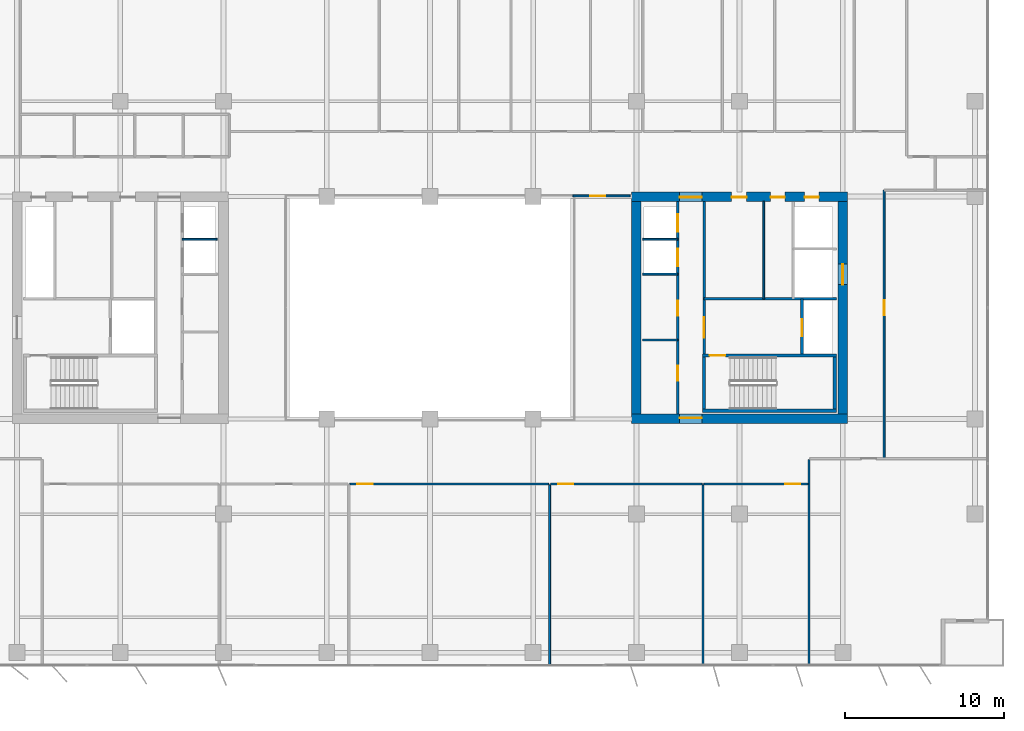
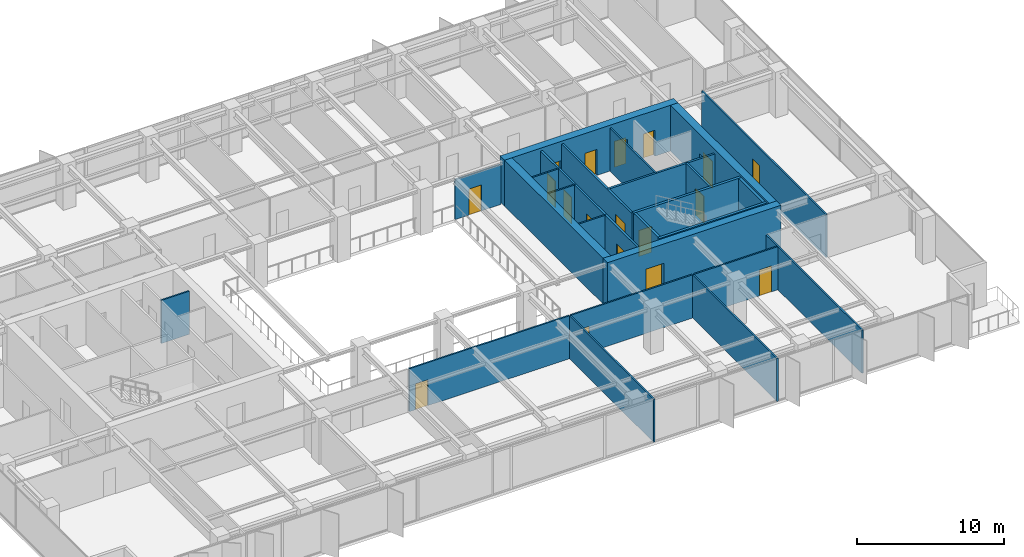
# One storey, part 16 of 22: 25 walls, 18 doors, 18 openings.
"""IFC4 building model written with IfcOpenShell, lengths in metres."""

from ifc_helpers import new_model, si_unit, direction, frame, frame_2d, origin, place, context, subcontext, project, spatial, rectangle, extrude, material, layer, layer_set, type_object, element, fill, save


model = new_model("IFC4")

# Units and contexts
model_context = context("Model", 3, precision=1e-05, world=origin(), true_north=direction((0.0, 1.0)))
body_context = subcontext(model_context, "Body", "Model", "MODEL_VIEW")
ifc_project = project(units=[si_unit("LENGTHUNIT", "METRE"), si_unit("AREAUNIT", "SQUARE_METRE"), si_unit("VOLUMEUNIT", "CUBIC_METRE"), si_unit("PLANEANGLEUNIT", "RADIAN"), si_unit("MASSUNIT", "GRAM", prefix="KILO")], contexts=[model_context])

# Site, building, storey
site_placement = place(None, origin())
site = spatial("IfcSite", under=ifc_project, at=site_placement, CompositionType="ELEMENT")
building_placement = place(site_placement, origin())
building = spatial("IfcBuilding", under=site, at=building_placement, Name="Putna Gate Headquarters", CompositionType="ELEMENT")
storey_placement = place(building_placement, frame((0.0, 0.0, 186.0)))
storey = spatial("IfcBuildingStorey", under=building, at=storey_placement, Name="L46", CompositionType="ELEMENT", Elevation=186.0)

# Wall, opening, door
ifc_material_1 = material(Name="Concrete C50/60", Category="concrete")
ifc_layer_1 = layer(ifc_material_1, 0.60009765625)
ifc_layer_set_1 = layer_set([ifc_layer_1], Name="Concrete C50/60")
wall_type_1 = type_object("IfcWallType", Name="WALL-CORE-600", PredefinedType="SHEAR", material=ifc_layer_set_1)
wall_1_placement = place(storey_placement, frame((51.699951171875, 19.0, 0.0), z_axis=(0.0, 0.0, 1.0), x_axis=(1.0, 0.0, 0.0)))
wall_1 = element("IfcWall", 1, at=wall_1_placement, inside=storey, type_object=wall_type_1, Name="L46 EC Split Core Shear Wall S", PredefinedType="SHEAR", context=body_context, shape_type="SweptSolid", body=[
    extrude(rectangle(XDim=13.60009765625, YDim=0.60009765625, at=frame_2d((6.800048828125, 0.0))), origin(), (0.0, 0.0, 1.0), 3.800048828125),
])
opening_1_placement = place(wall_1_placement, frame((3.02001953125, 0.0, 0.0)))
opening_1 = element("IfcOpeningElement", 2, at=opening_1_placement, cuts=wall_1, Name="Opening FDD-140", PredefinedType="OPENING", context=body_context, shape_type="SweptSolid", body=[
    extrude(rectangle(XDim=1.39990234375, YDim=2.199951171875, at=frame_2d((0.699951171875, 1.10009765625))), frame((0.0, 0.31005859375, 0.0), z_axis=(0.0, -1.0, 0.0), x_axis=(1.0, 0.0, 0.0)), (0.0, 0.0, 1.0), 0.6201171875),
])
ifc_material_2 = material(Name="Double steel fire door", Category="steel")
door_type_1 = type_object("IfcDoorType", Name="DOOR-FIRE-DBL-1400", OperationType="DOUBLE_DOOR_SINGLE_SWING", PredefinedType="DOOR", material=ifc_material_2)
door_1_placement = place(opening_1_placement, origin())
door_1 = element("IfcDoor", 3, at=door_1_placement, inside=storey, type_object=door_type_1, Name="L46 East Lift Lobby South Door", OperationType="DOUBLE_DOOR_SINGLE_SWING", OverallHeight=2.199951171875, OverallWidth=1.39990234375, PredefinedType="DOOR", context=body_context, shape_type="SweptSolid", body=[
    extrude(rectangle(XDim=1.39990234375, YDim=2.199951171875, at=frame_2d((0.699951171875, 1.10009765625))), frame((0.0, 0.0751953125, 0.0), z_axis=(0.0, -1.0, 0.0), x_axis=(1.0, 0.0, 0.0)), (0.0, 0.0, 1.0), 0.050048828125),
])
fill(opening_1, door_1)

# Wall, openings, doors
wall_2_placement = place(storey_placement, frame((51.699951171875, 33.0, 0.0), z_axis=(0.0, 0.0, 1.0), x_axis=(1.0, 0.0, 0.0)))
wall_2 = element("IfcWall", 4, at=wall_2_placement, inside=storey, type_object=wall_type_1, Name="L46 EC Split Core Shear Wall N", PredefinedType="SHEAR", context=body_context, shape_type="SweptSolid", body=[
    extrude(rectangle(XDim=13.60009765625, YDim=0.60009765625, at=frame_2d((6.800048828125, 0.0))), origin(), (0.0, 0.0, 1.0), 3.800048828125),
])
opening_2_placement = place(wall_2_placement, frame((3.02001953125, 0.0, 0.0)))
opening_2 = element("IfcOpeningElement", 5, at=opening_2_placement, cuts=wall_2, Name="Opening FDD-140", PredefinedType="OPENING", context=body_context, shape_type="SweptSolid", body=[
    extrude(rectangle(XDim=1.39990234375, YDim=2.199951171875, at=frame_2d((0.699951171875, 1.10009765625))), frame((0.0, 0.31005859375, 0.0), z_axis=(0.0, -1.0, 0.0), x_axis=(1.0, 0.0, 0.0)), (0.0, 0.0, 1.0), 0.6201171875),
])
opening_3_placement = place(wall_2_placement, frame((10.89990234375, 0.0, 0.0)))
opening_3 = element("IfcOpeningElement", 6, at=opening_3_placement, cuts=wall_2, Name="Opening RD-90", PredefinedType="OPENING", context=body_context, shape_type="SweptSolid", body=[
    extrude(rectangle(XDim=0.89990234375, YDim=2.14990234375, at=frame_2d((0.449951171875, 1.074951171875))), frame((0.0, 0.31005859375, 0.0), z_axis=(0.0, -1.0, 0.0), x_axis=(1.0, 0.0, 0.0)), (0.0, 0.0, 1.0), 0.6201171875),
])
opening_4_placement = place(wall_2_placement, frame((6.300048828125, 0.0, 0.0)))
opening_4 = element("IfcOpeningElement", 7, at=opening_4_placement, cuts=wall_2, Name="Opening IDS-95", PredefinedType="OPENING", context=body_context, shape_type="SweptSolid", body=[
    extrude(rectangle(XDim=0.949951171875, YDim=2.14990234375, at=frame_2d((0.47509765625, 1.074951171875))), frame((0.0, 0.31005859375, 0.0), z_axis=(0.0, -1.0, 0.0), x_axis=(1.0, 0.0, 0.0)), (0.0, 0.0, 1.0), 0.6201171875),
])
opening_5_placement = place(wall_2_placement, frame((8.75, 0.0, 0.0)))
opening_5 = element("IfcOpeningElement", 8, at=opening_5_placement, cuts=wall_2, Name="Opening IDS-90", PredefinedType="OPENING", context=body_context, shape_type="SweptSolid", body=[
    extrude(rectangle(XDim=0.89990234375, YDim=2.14990234375, at=frame_2d((0.449951171875, 1.074951171875))), frame((0.0, 0.31005859375, 0.0), z_axis=(0.0, -1.0, 0.0), x_axis=(1.0, 0.0, 0.0)), (0.0, 0.0, 1.0), 0.6201171875),
])
door_2_placement = place(opening_2_placement, origin())
door_2 = element("IfcDoor", 9, at=door_2_placement, inside=storey, type_object=door_type_1, Name="L46 East Lift Lobby North Door", OperationType="DOUBLE_DOOR_SINGLE_SWING", OverallHeight=2.199951171875, OverallWidth=1.39990234375, PredefinedType="DOOR", context=body_context, shape_type="SweptSolid", body=[
    extrude(rectangle(XDim=1.39990234375, YDim=2.199951171875, at=frame_2d((0.699951171875, 1.10009765625))), frame((0.0, -0.02490234375, 0.0), z_axis=(0.0, -1.0, 0.0), x_axis=(1.0, 0.0, 0.0)), (0.0, 0.0, 1.0), 0.050048828125),
])
fill(opening_2, door_2)
ifc_material_3 = material(Name="Fire-rated utility door")
door_type_2 = type_object("IfcDoorType", Name="DOOR-INT-900", OperationType="NOTDEFINED", PredefinedType="DOOR", material=ifc_material_3)
door_3_placement = place(opening_5_placement, origin())
door_3 = element("IfcDoor", 10, at=door_3_placement, inside=storey, type_object=door_type_2, Name="L46 Electrical Plant Door", OperationType="SINGLE_SWING_LEFT", OverallHeight=2.14990234375, OverallWidth=0.89990234375, PredefinedType="DOOR", context=body_context, shape_type="SweptSolid", body=[
    extrude(rectangle(XDim=0.89990234375, YDim=2.14990234375, at=frame_2d((0.449951171875, 1.074951171875))), frame((0.0, -0.02490234375, 0.0), z_axis=(0.0, -1.0, 0.0), x_axis=(1.0, 0.0, 0.0)), (0.0, 0.0, 1.0), 0.050048828125),
])
fill(opening_5, door_3)
ifc_material_4 = material(Name="Fire-rated service timber door", Category="wood")
door_type_3 = type_object("IfcDoorType", Name="DOOR-INT-950", OperationType="NOTDEFINED", PredefinedType="DOOR", material=ifc_material_4)
door_4_placement = place(opening_4_placement, origin())
door_4 = element("IfcDoor", 11, at=door_4_placement, inside=storey, type_object=door_type_3, Name="L46 East Store Door", OperationType="SINGLE_SWING_RIGHT", OverallHeight=2.14990234375, OverallWidth=0.949951171875, PredefinedType="DOOR", context=body_context, shape_type="SweptSolid", body=[
    extrude(rectangle(XDim=0.949951171875, YDim=2.14990234375, at=frame_2d((0.47509765625, 1.074951171875))), frame((0.0, -0.02490234375, 0.0), z_axis=(0.0, -1.0, 0.0), x_axis=(1.0, 0.0, 0.0)), (0.0, 0.0, 1.0), 0.050048828125),
])
fill(opening_4, door_4)
ifc_material_5 = material(Name="Steel riser access fire door", Category="steel")
door_type_4 = type_object("IfcDoorType", Name="DOOR-RISER-900", OperationType="NOTDEFINED", PredefinedType="DOOR", material=ifc_material_5)
door_5_placement = place(opening_3_placement, origin())
door_5 = element("IfcDoor", 12, at=door_5_placement, inside=storey, type_object=door_type_4, Name="L46 East Riser Access Door", OperationType="SINGLE_SWING_LEFT", OverallHeight=2.14990234375, OverallWidth=0.89990234375, PredefinedType="DOOR", context=body_context, shape_type="SweptSolid", body=[
    extrude(rectangle(XDim=0.89990234375, YDim=2.14990234375, at=frame_2d((0.449951171875, 1.074951171875))), frame((0.0, -0.02490234375, 0.0), z_axis=(0.0, -1.0, 0.0), x_axis=(1.0, 0.0, 0.0)), (0.0, 0.0, 1.0), 0.050048828125),
])
fill(opening_3, door_5)

# Wall
wall_3_placement = place(storey_placement, frame((52.0, 19.300048828125, 0.0), z_axis=(0.0, 0.0, 1.0), x_axis=(0.0, 1.0, 0.0)))
element("IfcWall", 13, at=wall_3_placement, inside=storey, type_object=wall_type_1, Name="L46 EC Split Core Shear Wall W", PredefinedType="SHEAR", context=body_context, shape_type="SweptSolid", body=[
    extrude(rectangle(XDim=13.39990234375, YDim=0.60009765625, at=frame_2d((6.699951171875, 0.0))), origin(), (0.0, 0.0, 1.0), 3.800048828125),
])

# Wall, opening, door
wall_4_placement = place(storey_placement, frame((65.0, 19.300048828125, 0.0), z_axis=(0.0, 0.0, 1.0), x_axis=(0.0, 1.0, 0.0)))
wall_4 = element("IfcWall", 14, at=wall_4_placement, inside=storey, type_object=wall_type_1, Name="L46 EC Split Core Shear Wall E", PredefinedType="SHEAR", context=body_context, shape_type="SweptSolid", body=[
    extrude(rectangle(XDim=13.39990234375, YDim=0.60009765625, at=frame_2d((6.699951171875, 0.0))), origin(), (0.0, 0.0, 1.0), 3.800048828125),
])
opening_6_placement = place(wall_4_placement, frame((8.14990234375, 0.0, 0.0)))
opening_6 = element("IfcOpeningElement", 15, at=opening_6_placement, cuts=wall_4, Name="Opening LD-2", PredefinedType="OPENING", context=body_context, shape_type="SweptSolid", body=[
    extrude(rectangle(XDim=1.300048828125, YDim=2.199951171875, at=frame_2d((0.64990234375, 1.10009765625))), frame((0.0, 0.31005859375, 0.0), z_axis=(0.0, -1.0, 0.0), x_axis=(1.0, 0.0, 0.0)), (0.0, 0.0, 1.0), 0.6201171875),
])
ifc_material_6 = material(Name="Heavy-duty goods lift sliding landing door")
door_type_5 = type_object("IfcDoorType", Name="DOOR-LIFT-1300", OperationType="DOUBLE_DOOR_SLIDING", PredefinedType="DOOR", material=ifc_material_6)
door_6_placement = place(opening_6_placement, origin())
door_6 = element("IfcDoor", 16, at=door_6_placement, inside=storey, type_object=door_type_5, Name="L46 Goods Lift Landing Door LD-15", OperationType="DOUBLE_DOOR_SLIDING", OverallHeight=2.199951171875, OverallWidth=1.300048828125, PredefinedType="DOOR", context=body_context, shape_type="SweptSolid", body=[
    extrude(rectangle(XDim=1.300048828125, YDim=2.199951171875, at=frame_2d((0.64990234375, 1.10009765625))), frame((0.0, 0.02490234375, 0.0), z_axis=(0.0, -1.0, 0.0), x_axis=(1.0, 0.0, 0.0)), (0.0, 0.0, 1.0), 0.050048828125),
])
fill(opening_6, door_6)

ifc_material_7 = material(Name="Acoustic gypsum board on metal stud")
ifc_layer_2 = layer(ifc_material_7, 0.1201171875)
ifc_layer_set_2 = layer_set([ifc_layer_2], Name="Acoustic gypsum board on metal stud")
wall_type_2 = type_object("IfcWallType", Name="WALL-PART-120", PredefinedType="PARTITIONING", material=ifc_layer_set_2)
wall_5_placement = place(storey_placement, frame((48.0, 33.0400390625, 0.0), z_axis=(0.0, 0.0, 1.0), x_axis=(1.0, 0.0, 0.0)))
wall_5 = element("IfcWall", 17, at=wall_5_placement, inside=storey, type_object=wall_type_2, Name="L46 Interior Wall PART-L46-ATR-E-N", PredefinedType="PARTITIONING", context=body_context, shape_type="SweptSolid", body=[
    extrude(rectangle(XDim=3.60009765625, YDim=0.1201171875, at=frame_2d((1.800048828125, 0.0))), origin(), (0.0, 0.0, 1.0), 3.31201171875),
])
opening_7_placement = place(wall_5_placement, frame((1.10009765625, 0.0, 0.0)))
opening_7 = element("IfcOpeningElement", 18, at=opening_7_placement, cuts=wall_5, Name="Opening ID-95", PredefinedType="OPENING", context=body_context, shape_type="SweptSolid", body=[
    extrude(rectangle(XDim=0.949951171875, YDim=2.14990234375, at=frame_2d((0.47509765625, 1.074951171875))), frame((0.0, 0.070068359375, 0.0), z_axis=(0.0, -1.0, 0.0), x_axis=(1.0, 0.0, 0.0)), (0.0, 0.0, 1.0), 0.14013671875),
])
ifc_material_8 = material(Name="Veneered acoustic timber door", Category="wood")
door_type_6 = type_object("IfcDoorType", Name="DOOR-OFF-950", OperationType="NOTDEFINED", PredefinedType="DOOR", material=ifc_material_8)
door_7_placement = place(opening_7_placement, origin())
door_7 = element("IfcDoor", 19, at=door_7_placement, inside=storey, type_object=door_type_6, Name="L46 East Sky Atrium Lounge Door", OperationType="SINGLE_SWING_LEFT", OverallHeight=2.14990234375, OverallWidth=0.949951171875, PredefinedType="DOOR", context=body_context, shape_type="SweptSolid", body=[
    extrude(rectangle(XDim=0.949951171875, YDim=2.14990234375, at=frame_2d((0.47509765625, 1.074951171875))), frame((0.0, 0.02490234375, 0.0), z_axis=(0.0, -1.0, 0.0), x_axis=(1.0, 0.0, 0.0)), (0.0, 0.0, 1.0), 0.050048828125),
])
fill(opening_7, door_7)

# Walls
for number, where, z_axis, x_axis, name in (
    (20, (46.536376953125, 3.419921875, 0.0), (0.0, 0.0, 1.0), (0.0, 1.0, 0.0), "L46 Interior Wall PART-L46-SB-DIV-04"),
    (21, (56.19482421875, 3.419921875, 0.0), (0.0, 0.0, 1.0), (0.0, 1.0, 0.0), "L46 Interior Wall PART-L46-SB-DIV-05"),
):
    element("IfcWall", number, at=place(storey_placement, frame(where, z_axis=z_axis, x_axis=x_axis)), inside=storey, type_object=wall_type_2, Name=name, PredefinedType="PARTITIONING", context=body_context, shape_type="SweptSolid", body=[
        extrude(rectangle(XDim=11.420166015625, YDim=0.1201171875, at=frame_2d((5.7099609375, 0.0))), origin(), (0.0, 0.0, 1.0), 3.572021484375),
    ])
wall_6_placement = place(storey_placement, frame((62.86962890625, 3.419921875, 0.0), z_axis=(0.0, 0.0, 1.0), x_axis=(0.0, 1.0, 0.0)))
element("IfcWall", 22, at=wall_6_placement, inside=storey, type_object=wall_type_2, Name="L46 Interior Wall PART-L46-SB-DIV-06", PredefinedType="PARTITIONING", context=body_context, shape_type="SweptSolid", body=[
    extrude(rectangle(XDim=13.02001953125, YDim=0.1201171875, at=frame_2d((6.510009765625, 0.0))), origin(), (0.0, 0.0, 1.0), 3.572021484375),
])
ifc_material_9 = material(Name="Fire-rated shaftwall gypsum board on metal stud")
ifc_layer_3 = layer(ifc_material_9, 0.1201171875)
ifc_layer_set_3 = layer_set([ifc_layer_3], Name="Fire-rated shaftwall gypsum board on metal stud")
wall_type_3 = type_object("IfcWallType", Name="WALL-PART-120-EI120", PredefinedType="PARTITIONING", material=ifc_layer_set_3)
for number, where, z_axis, x_axis, name in (
    (23, (23.39990234375, 30.31005859375, 0.0), (0.0, 0.0, 1.0), (1.0, 0.0, 0.0), "L46 Interior Wall CWINT-L46-WC-LF09-DIV"),
    (24, (52.39990234375, 30.31005859375, 0.0), (0.0, 0.0, 1.0), (1.0, 0.0, 0.0), "L46 Interior Wall CWINT-L46-EC-LF11-DIV"),
):
    element("IfcWall", number, at=place(storey_placement, frame(where, z_axis=z_axis, x_axis=x_axis)), inside=storey, type_object=wall_type_3, Name=name, PredefinedType="PARTITIONING", context=body_context, shape_type="SweptSolid", body=[
        extrude(rectangle(XDim=2.2001953125, YDim=0.1201171875, at=frame_2d((1.10009765625, 0.0))), origin(), (0.0, 0.0, 1.0), 3.572021484375),
    ])
ifc_material_10 = material(Name="Fire-rated gypsum board on metal stud")
ifc_layer_4 = layer(ifc_material_10, 0.1201171875)
ifc_layer_set_4 = layer_set([ifc_layer_4], Name="Fire-rated gypsum board on metal stud")
wall_type_4 = type_object("IfcWallType", Name="WALL-PART-120-RATED", PredefinedType="PARTITIONING", material=ifc_layer_set_4)
for number, where, z_axis, x_axis, name in (
    (25, (52.39990234375, 23.969970703125, 0.0), (0.0, 0.0, 1.0), (1.0, 0.0, 0.0), "L46 Interior Wall CWINT-L46-EC-REUSE-DIV"),
    (26, (52.39990234375, 28.1201171875, 0.0), (0.0, 0.0, 1.0), (1.0, 0.0, 0.0), "L46 Interior Wall CWINT-L46-EC-LF08-DIV"),
):
    element("IfcWall", number, at=place(storey_placement, frame(where, z_axis=z_axis, x_axis=x_axis)), inside=storey, type_object=wall_type_4, Name=name, PredefinedType="PARTITIONING", context=body_context, shape_type="SweptSolid", body=[
        extrude(rectangle(XDim=2.2001953125, YDim=0.1201171875, at=frame_2d((1.10009765625, 0.0))), origin(), (0.0, 0.0, 1.0), 3.572021484375),
    ])
wall_7_placement = place(storey_placement, frame((60.02001953125, 26.56005859375, 0.0), z_axis=(0.0, 0.0, 1.0), x_axis=(0.0, 1.0, 0.0)))
element("IfcWall", 27, at=wall_7_placement, inside=storey, type_object=wall_type_4, Name="L46 Interior Wall CWINT-L46-EC-K0-DIV", PredefinedType="PARTITIONING", context=body_context, shape_type="SweptSolid", body=[
    extrude(rectangle(XDim=6.139892578125, YDim=0.1201171875, at=frame_2d((3.06982421875, 0.0))), origin(), (0.0, 0.0, 1.0), 3.572021484375),
])

# Wall, opening, door
wall_8_placement = place(storey_placement, frame((33.9541015625, 14.89990234375, 0.0), z_axis=(0.0, 0.0, 1.0), x_axis=(1.0, 0.0, 0.0)))
wall_8 = element("IfcWall", 28, at=wall_8_placement, inside=storey, type_object=wall_type_4, Name="L46 Interior Wall PART-L46-SB-CW-04", PredefinedType="PARTITIONING", context=body_context, shape_type="SweptSolid", body=[
    extrude(rectangle(XDim=12.522216796875, YDim=0.1201171875, at=frame_2d((6.26123046875, 0.0))), origin(), (0.0, 0.0, 1.0), 3.572021484375),
])
opening_8_placement = place(wall_8_placement, frame((0.47998046875, 0.0, 0.0)))
opening_8 = element("IfcOpeningElement", 29, at=opening_8_placement, cuts=wall_8, Name="Opening FD-95", PredefinedType="OPENING", context=body_context, shape_type="SweptSolid", body=[
    extrude(rectangle(XDim=0.949951171875, YDim=2.14990234375, at=frame_2d((0.47509765625, 1.074951171875))), frame((0.0, 0.070068359375, 0.0), z_axis=(0.0, -1.0, 0.0), x_axis=(1.0, 0.0, 0.0)), (0.0, 0.0, 1.0), 0.14013671875),
])
ifc_material_11 = material(Name="Acoustic timber fire door", Category="wood")
door_type_7 = type_object("IfcDoorType", Name="DOOR-FIRE-950", OperationType="NOTDEFINED", PredefinedType="DOOR", material=ifc_material_11)
door_8_placement = place(opening_8_placement, origin())
door_8 = element("IfcDoor", 30, at=door_8_placement, inside=storey, type_object=door_type_7, Name="L46 Cellular Office 6 Door", OperationType="SINGLE_SWING_RIGHT", OverallHeight=2.14990234375, OverallWidth=0.949951171875, PredefinedType="DOOR", context=body_context, shape_type="SweptSolid", body=[
    extrude(rectangle(XDim=0.949951171875, YDim=2.14990234375, at=frame_2d((0.47509765625, 1.074951171875))), frame((0.0, 0.02490234375, 0.0), z_axis=(0.0, -1.0, 0.0), x_axis=(1.0, 0.0, 0.0)), (0.0, 0.0, 1.0), 0.050048828125),
])
fill(opening_8, door_8)

wall_9_placement = place(storey_placement, frame((46.59619140625, 14.89990234375, 0.0), z_axis=(0.0, 0.0, 1.0), x_axis=(1.0, 0.0, 0.0)))
wall_9 = element("IfcWall", 31, at=wall_9_placement, inside=storey, type_object=wall_type_4, Name="L46 Interior Wall PART-L46-SB-CW-05", PredefinedType="PARTITIONING", context=body_context, shape_type="SweptSolid", body=[
    extrude(rectangle(XDim=9.53857421875, YDim=0.1201171875, at=frame_2d((4.769287109375, 0.0))), origin(), (0.0, 0.0, 1.0), 3.572021484375),
])
opening_9_placement = place(wall_9_placement, frame((0.47998046875, 0.0, 0.0)))
opening_9 = element("IfcOpeningElement", 32, at=opening_9_placement, cuts=wall_9, Name="Opening FD-95", PredefinedType="OPENING", context=body_context, shape_type="SweptSolid", body=[
    extrude(rectangle(XDim=0.949951171875, YDim=2.14990234375, at=frame_2d((0.47509765625, 1.074951171875))), frame((0.0, 0.070068359375, 0.0), z_axis=(0.0, -1.0, 0.0), x_axis=(1.0, 0.0, 0.0)), (0.0, 0.0, 1.0), 0.14013671875),
])
door_9_placement = place(opening_9_placement, origin())
door_9 = element("IfcDoor", 33, at=door_9_placement, inside=storey, type_object=door_type_7, Name="L46 Conference Meeting Room 1 Door", OperationType="SINGLE_SWING_LEFT", OverallHeight=2.14990234375, OverallWidth=0.949951171875, PredefinedType="DOOR", context=body_context, shape_type="SweptSolid", body=[
    extrude(rectangle(XDim=0.949951171875, YDim=2.14990234375, at=frame_2d((0.47509765625, 1.074951171875))), frame((0.0, 0.02490234375, 0.0), z_axis=(0.0, -1.0, 0.0), x_axis=(1.0, 0.0, 0.0)), (0.0, 0.0, 1.0), 0.050048828125),
])
fill(opening_9, door_9)

wall_10_placement = place(storey_placement, frame((56.2548828125, 14.89990234375, 0.0), z_axis=(0.0, 0.0, 1.0), x_axis=(1.0, 0.0, 0.0)))
wall_10 = element("IfcWall", 34, at=wall_10_placement, inside=storey, type_object=wall_type_4, Name="L46 Interior Wall PART-L46-SB-CW-06", PredefinedType="PARTITIONING", context=body_context, shape_type="SweptSolid", body=[
    extrude(rectangle(XDim=6.5546875, YDim=0.1201171875, at=frame_2d((3.27734375, 0.0))), origin(), (0.0, 0.0, 1.0), 3.572021484375),
])
opening_10_placement = place(wall_10_placement, frame((5.124755859375, 0.0, 0.0)))
opening_10 = element("IfcOpeningElement", 35, at=opening_10_placement, cuts=wall_10, Name="Opening FD-95", PredefinedType="OPENING", context=body_context, shape_type="SweptSolid", body=[
    extrude(rectangle(XDim=0.949951171875, YDim=2.14990234375, at=frame_2d((0.47509765625, 1.074951171875))), frame((0.0, 0.070068359375, 0.0), z_axis=(0.0, -1.0, 0.0), x_axis=(1.0, 0.0, 0.0)), (0.0, 0.0, 1.0), 0.14013671875),
])
door_10_placement = place(opening_10_placement, origin())
door_10 = element("IfcDoor", 36, at=door_10_placement, inside=storey, type_object=door_type_7, Name="L46 Conference Meeting Room 2 Door", OperationType="SINGLE_SWING_RIGHT", OverallHeight=2.14990234375, OverallWidth=0.949951171875, PredefinedType="DOOR", context=body_context, shape_type="SweptSolid", body=[
    extrude(rectangle(XDim=0.949951171875, YDim=2.14990234375, at=frame_2d((0.47509765625, 1.074951171875))), frame((0.0, 0.02490234375, 0.0), z_axis=(0.0, -1.0, 0.0), x_axis=(1.0, 0.0, 0.0)), (0.0, 0.0, 1.0), 0.050048828125),
])
fill(opening_10, door_10)

wall_11_placement = place(storey_placement, frame((67.60009765625, 16.5, 0.0), z_axis=(0.0, 0.0, 1.0), x_axis=(0.0, 1.0, 0.0)))
wall_11 = element("IfcWall", 37, at=wall_11_placement, inside=storey, type_object=wall_type_4, Name="L46 Interior Wall PART-L46-EW-CW-1", PredefinedType="PARTITIONING", context=body_context, shape_type="SweptSolid", body=[
    extrude(rectangle(XDim=16.89990234375, YDim=0.1201171875, at=frame_2d((8.449951171875, 0.0))), origin(), (0.0, 0.0, 1.0), 3.572021484375),
])
opening_11_placement = place(wall_11_placement, frame((9.02490234375, 0.0, 0.0)))
opening_11 = element("IfcOpeningElement", 38, at=opening_11_placement, cuts=wall_11, Name="Opening FD-95", PredefinedType="OPENING", context=body_context, shape_type="SweptSolid", body=[
    extrude(rectangle(XDim=0.949951171875, YDim=2.14990234375, at=frame_2d((0.47509765625, 1.074951171875))), frame((0.0, 0.070068359375, 0.0), z_axis=(0.0, -1.0, 0.0), x_axis=(1.0, 0.0, 0.0)), (0.0, 0.0, 1.0), 0.14013671875),
])
door_11_placement = place(opening_11_placement, origin())
door_11 = element("IfcDoor", 39, at=door_11_placement, inside=storey, type_object=door_type_7, Name="L46 East Horizon Conference Room 1 Door", OperationType="SINGLE_SWING_LEFT", OverallHeight=2.14990234375, OverallWidth=0.949951171875, PredefinedType="DOOR", context=body_context, shape_type="SweptSolid", body=[
    extrude(rectangle(XDim=0.949951171875, YDim=2.14990234375, at=frame_2d((0.47509765625, 1.074951171875))), frame((0.0, 0.02490234375, 0.0), z_axis=(0.0, -1.0, 0.0), x_axis=(1.0, 0.0, 0.0)), (0.0, 0.0, 1.0), 0.050048828125),
])
fill(opening_11, door_11)

# Wall, openings, doors
ifc_material_12 = material(Name="Concrete C40/50", Category="concrete")
ifc_layer_5 = layer(ifc_material_12, 0.159912109375)
ifc_layer_set_5 = layer_set([ifc_layer_5], Name="Concrete C40/50")
wall_type_5 = type_object("IfcWallType", Name="WALL-SHAFT-160", PredefinedType="STANDARD", material=ifc_layer_set_5)
wall_12_placement = place(storey_placement, frame((54.60009765625, 19.300048828125, 0.0), z_axis=(0.0, 0.0, 1.0), x_axis=(0.0, 1.0, 0.0)))
wall_12 = element("IfcWall", 40, at=wall_12_placement, inside=storey, type_object=wall_type_5, Name="L46 Interior Wall CWINT-L46-EC-PL-WALL", PredefinedType="STANDARD", context=body_context, shape_type="SweptSolid", body=[
    extrude(rectangle(XDim=13.39990234375, YDim=0.159912109375, at=frame_2d((6.699951171875, 0.0))), origin(), (0.0, 0.0, 1.0), 3.572021484375),
])
opening_12_placement = place(wall_12_placement, frame((2.10009765625, 0.0, 0.0)))
opening_12 = element("IfcOpeningElement", 41, at=opening_12_placement, cuts=wall_12, Name="Opening IDS-95", PredefinedType="OPENING", context=body_context, shape_type="SweptSolid", body=[
    extrude(rectangle(XDim=0.949951171875, YDim=2.14990234375, at=frame_2d((0.47509765625, 1.074951171875))), frame((0.0, 0.08984375, 0.0), z_axis=(0.0, -1.0, 0.0), x_axis=(1.0, 0.0, 0.0)), (0.0, 0.0, 1.0), 0.179931640625),
])
opening_13_placement = place(wall_12_placement, frame((6.199951171875, 0.0, 0.0)))
opening_13 = element("IfcOpeningElement", 42, at=opening_13_placement, cuts=wall_12, Name="Opening IDS-95", PredefinedType="OPENING", context=body_context, shape_type="SweptSolid", body=[
    extrude(rectangle(XDim=0.949951171875, YDim=2.14990234375, at=frame_2d((0.47509765625, 1.074951171875))), frame((0.0, 0.08984375, 0.0), z_axis=(0.0, -1.0, 0.0), x_axis=(1.0, 0.0, 0.0)), (0.0, 0.0, 1.0), 0.179931640625),
])
opening_14_placement = place(wall_12_placement, frame((9.300048828125, 0.0, 0.0)))
opening_14 = element("IfcOpeningElement", 43, at=opening_14_placement, cuts=wall_12, Name="Opening LD-1", PredefinedType="OPENING", context=body_context, shape_type="SweptSolid", body=[
    extrude(rectangle(XDim=1.10009765625, YDim=2.199951171875, at=frame_2d((0.550048828125, 1.10009765625))), frame((0.0, 0.08984375, 0.0), z_axis=(0.0, -1.0, 0.0), x_axis=(1.0, 0.0, 0.0)), (0.0, 0.0, 1.0), 0.179931640625),
])
opening_15_placement = place(wall_12_placement, frame((11.5, 0.0, 0.0)))
opening_15 = element("IfcOpeningElement", 44, at=opening_15_placement, cuts=wall_12, Name="Opening LD-1", PredefinedType="OPENING", context=body_context, shape_type="SweptSolid", body=[
    extrude(rectangle(XDim=1.10009765625, YDim=2.199951171875, at=frame_2d((0.550048828125, 1.10009765625))), frame((0.0, 0.08984375, 0.0), z_axis=(0.0, -1.0, 0.0), x_axis=(1.0, 0.0, 0.0)), (0.0, 0.0, 1.0), 0.179931640625),
])
door_12_placement = place(opening_12_placement, origin())
door_12 = element("IfcDoor", 45, at=door_12_placement, inside=storey, type_object=door_type_3, Name="L46 Executive Archive Door", OperationType="SINGLE_SWING_RIGHT", OverallHeight=2.14990234375, OverallWidth=0.949951171875, PredefinedType="DOOR", context=body_context, shape_type="SweptSolid", body=[
    extrude(rectangle(XDim=0.949951171875, YDim=2.14990234375, at=frame_2d((0.47509765625, 1.074951171875))), frame((0.0, 0.02490234375, 0.0), z_axis=(0.0, -1.0, 0.0), x_axis=(1.0, 0.0, 0.0)), (0.0, 0.0, 1.0), 0.050048828125),
])
fill(opening_12, door_12)
door_13_placement = place(opening_13_placement, origin())
door_13 = element("IfcDoor", 46, at=door_13_placement, inside=storey, type_object=door_type_3, Name="L46 Comms Distribution Door", OperationType="SINGLE_SWING_LEFT", OverallHeight=2.14990234375, OverallWidth=0.949951171875, PredefinedType="DOOR", context=body_context, shape_type="SweptSolid", body=[
    extrude(rectangle(XDim=0.949951171875, YDim=2.14990234375, at=frame_2d((0.47509765625, 1.074951171875))), frame((0.0, 0.02490234375, 0.0), z_axis=(0.0, -1.0, 0.0), x_axis=(1.0, 0.0, 0.0)), (0.0, 0.0, 1.0), 0.050048828125),
])
fill(opening_13, door_13)
ifc_material_13 = material(Name="Brushed bronze stainless lift landing door")
door_type_8 = type_object("IfcDoorType", Name="DOOR-LIFT-1100", OperationType="DOUBLE_DOOR_SLIDING", PredefinedType="DOOR", material=ifc_material_13)
door_14_placement = place(opening_14_placement, origin())
door_14 = element("IfcDoor", 47, at=door_14_placement, inside=storey, type_object=door_type_8, Name="L46 Lift Landing Door LD-11", OperationType="DOUBLE_DOOR_SLIDING", OverallHeight=2.199951171875, OverallWidth=1.10009765625, PredefinedType="DOOR", context=body_context, shape_type="SweptSolid", body=[
    extrude(rectangle(XDim=1.10009765625, YDim=2.199951171875, at=frame_2d((0.550048828125, 1.10009765625))), frame((0.0, 0.02490234375, 0.0), z_axis=(0.0, -1.0, 0.0), x_axis=(1.0, 0.0, 0.0)), (0.0, 0.0, 1.0), 0.050048828125),
])
fill(opening_14, door_14)
door_15_placement = place(opening_15_placement, origin())
door_15 = element("IfcDoor", 48, at=door_15_placement, inside=storey, type_object=door_type_8, Name="L46 Lift Landing Door LD-12", OperationType="DOUBLE_DOOR_SLIDING", OverallHeight=2.199951171875, OverallWidth=1.10009765625, PredefinedType="DOOR", context=body_context, shape_type="SweptSolid", body=[
    extrude(rectangle(XDim=1.10009765625, YDim=2.199951171875, at=frame_2d((0.550048828125, 1.10009765625))), frame((0.0, 0.02490234375, 0.0), z_axis=(0.0, -1.0, 0.0), x_axis=(1.0, 0.0, 0.0)), (0.0, 0.0, 1.0), 0.050048828125),
])
fill(opening_15, door_15)

# Wall, opening, door
wall_13_placement = place(storey_placement, frame((56.260009765625, 23.090087890625, 0.0), z_axis=(0.0, 0.0, 1.0), x_axis=(0.0, 1.0, 0.0)))
wall_13 = element("IfcWall", 49, at=wall_13_placement, inside=storey, type_object=wall_type_5, Name="L46 Interior Wall CWINT-L46-EC-LOB-E", PredefinedType="STANDARD", context=body_context, shape_type="SweptSolid", body=[
    extrude(rectangle(XDim=9.60986328125, YDim=0.159912109375, at=frame_2d((4.804931640625, 0.0))), origin(), (0.0, 0.0, 1.0), 3.572021484375),
])
opening_16_placement = place(wall_13_placement, frame((1.010009765625, 0.0, 0.0)))
opening_16 = element("IfcOpeningElement", 50, at=opening_16_placement, cuts=wall_13, Name="Opening FDD-130", PredefinedType="OPENING", context=body_context, shape_type="SweptSolid", body=[
    extrude(rectangle(XDim=1.300048828125, YDim=2.199951171875, at=frame_2d((0.64990234375, 1.10009765625))), frame((0.0, 0.08984375, 0.0), z_axis=(0.0, -1.0, 0.0), x_axis=(1.0, 0.0, 0.0)), (0.0, 0.0, 1.0), 0.179931640625),
])
ifc_material_14 = material(Name="Double steel lobby fire door", Category="steel")
door_type_9 = type_object("IfcDoorType", Name="DOOR-FIRE-DBL-1300", OperationType="DOUBLE_DOOR_SINGLE_SWING", PredefinedType="DOOR", material=ifc_material_14)
door_16_placement = place(opening_16_placement, origin())
door_16 = element("IfcDoor", 51, at=door_16_placement, inside=storey, type_object=door_type_9, Name="L46 East Firefighting Lobby Door", OperationType="DOUBLE_DOOR_SINGLE_SWING", OverallHeight=2.199951171875, OverallWidth=1.300048828125, PredefinedType="DOOR", context=body_context, shape_type="SweptSolid", body=[
    extrude(rectangle(XDim=1.300048828125, YDim=2.199951171875, at=frame_2d((0.64990234375, 1.10009765625))), frame((0.0, 0.02490234375, 0.0), z_axis=(0.0, -1.0, 0.0), x_axis=(1.0, 0.0, 0.0)), (0.0, 0.0, 1.0), 0.050048828125),
])
fill(opening_16, door_16)

wall_14_placement = place(storey_placement, frame((62.429931640625, 23.090087890625, 0.0), z_axis=(0.0, 0.0, 1.0), x_axis=(0.0, 1.0, 0.0)))
wall_14 = element("IfcWall", 52, at=wall_14_placement, inside=storey, type_object=wall_type_5, Name="L46 Interior Wall CWINT-L46-EC-LF14-W", PredefinedType="STANDARD", context=body_context, shape_type="SweptSolid", body=[
    extrude(rectangle(XDim=3.469970703125, YDim=0.159912109375, at=frame_2d((1.73486328125, 0.0))), origin(), (0.0, 0.0, 1.0), 3.572021484375),
])
opening_17_placement = place(wall_14_placement, frame((1.10009765625, 0.0, 0.0)))
opening_17 = element("IfcOpeningElement", 53, at=opening_17_placement, cuts=wall_14, Name="Opening LD-1", PredefinedType="OPENING", context=body_context, shape_type="SweptSolid", body=[
    extrude(rectangle(XDim=1.10009765625, YDim=2.199951171875, at=frame_2d((0.550048828125, 1.10009765625))), frame((0.0, 0.08984375, 0.0), z_axis=(0.0, -1.0, 0.0), x_axis=(1.0, 0.0, 0.0)), (0.0, 0.0, 1.0), 0.179931640625),
])
door_17_placement = place(opening_17_placement, origin())
door_17 = element("IfcDoor", 54, at=door_17_placement, inside=storey, type_object=door_type_8, Name="L46 Lift Landing Door LD-14", OperationType="DOUBLE_DOOR_SLIDING", OverallHeight=2.199951171875, OverallWidth=1.10009765625, PredefinedType="DOOR", context=body_context, shape_type="SweptSolid", body=[
    extrude(rectangle(XDim=1.10009765625, YDim=2.199951171875, at=frame_2d((0.550048828125, 1.10009765625))), frame((0.0, 0.02490234375, 0.0), z_axis=(0.0, -1.0, 0.0), x_axis=(1.0, 0.0, 0.0)), (0.0, 0.0, 1.0), 0.050048828125),
])
fill(opening_17, door_17)

# Walls
wall_15_placement = place(storey_placement, frame((56.260009765625, 26.56005859375, 0.0), z_axis=(0.0, 0.0, 1.0), x_axis=(1.0, 0.0, 0.0)))
element("IfcWall", 55, at=wall_15_placement, inside=storey, type_object=wall_type_5, Name="L46 Interior Wall CWINT-L46-EC-FFL-N", PredefinedType="STANDARD", context=body_context, shape_type="SweptSolid", body=[
    extrude(rectangle(XDim=8.340087890625, YDim=0.159912109375, at=frame_2d((4.169921875, 0.0))), origin(), (0.0, 0.0, 1.0), 3.572021484375),
])
ifc_layer_6 = layer(ifc_material_12, 0.199951171875)
ifc_layer_set_6 = layer_set([ifc_layer_6], Name="Concrete C40/50")
wall_type_6 = type_object("IfcWallType", Name="WALL-SHAFT-RC200", PredefinedType="SHEAR", material=ifc_layer_set_6)
wall_16_placement = place(storey_placement, frame((56.159912109375, 19.510009765625, 0.0), z_axis=(0.0, 0.0, 1.0), x_axis=(1.0, 0.0, 0.0)))
element("IfcWall", 56, at=wall_16_placement, inside=storey, type_object=wall_type_6, Name="L46 Stair ST2 Structural Shaft Wall S", PredefinedType="SHEAR", context=body_context, shape_type="SweptSolid", body=[
    extrude(rectangle(XDim=8.43017578125, YDim=0.199951171875, at=frame_2d((4.215087890625, 0.0))), origin(), (0.0, 0.0, 1.0), 3.800048828125),
])

# Wall, opening, door
wall_17_placement = place(storey_placement, frame((56.159912109375, 22.989990234375, 0.0), z_axis=(0.0, 0.0, 1.0), x_axis=(1.0, 0.0, 0.0)))
wall_17 = element("IfcWall", 57, at=wall_17_placement, inside=storey, type_object=wall_type_6, Name="L46 Stair ST2 Structural Shaft Wall N", PredefinedType="SHEAR", context=body_context, shape_type="SweptSolid", body=[
    extrude(rectangle(XDim=8.43017578125, YDim=0.199951171875, at=frame_2d((4.215087890625, 0.0))), origin(), (0.0, 0.0, 1.0), 3.800048828125),
])
opening_18_placement = place(wall_17_placement, frame((0.449951171875, 0.0, 0.0)))
opening_18 = element("IfcOpeningElement", 58, at=opening_18_placement, cuts=wall_17, Name="Opening FD-100", PredefinedType="OPENING", context=body_context, shape_type="SweptSolid", body=[
    extrude(rectangle(XDim=1.0, YDim=2.14990234375, at=frame_2d((0.5, 1.074951171875))), frame((0.0, 0.10986328125, 0.0), z_axis=(0.0, -1.0, 0.0), x_axis=(1.0, 0.0, 0.0)), (0.0, 0.0, 1.0), 0.219970703125),
])
ifc_material_15 = material(Name="Powder-coated steel fire door", Category="steel")
door_type_10 = type_object("IfcDoorType", Name="DOOR-FIRE-1000", OperationType="NOTDEFINED", PredefinedType="DOOR", material=ifc_material_15)
door_18_placement = place(opening_18_placement, origin())
door_18 = element("IfcDoor", 59, at=door_18_placement, inside=storey, type_object=door_type_10, Name="L46 Stair ST2 Fire Door", OperationType="SINGLE_SWING_RIGHT", OverallHeight=2.14990234375, OverallWidth=1.0, PredefinedType="DOOR", context=body_context, shape_type="SweptSolid", body=[
    extrude(rectangle(XDim=1.0, YDim=2.14990234375, at=frame_2d((0.5, 1.074951171875))), frame((0.0, 0.02490234375, 0.0), z_axis=(0.0, -1.0, 0.0), x_axis=(1.0, 0.0, 0.0)), (0.0, 0.0, 1.0), 0.050048828125),
])
fill(opening_18, door_18)

# Walls
for number, where, z_axis, x_axis, name in (
    (60, (56.260009765625, 19.610107421875, 0.0), (0.0, 0.0, 1.0), (0.0, 1.0, 0.0), "L46 Stair ST2 Structural Shaft Wall W"),
    (61, (64.489990234375, 19.610107421875, 0.0), (0.0, 0.0, 1.0), (0.0, 1.0, 0.0), "L46 Stair ST2 Structural Shaft Wall E"),
):
    element("IfcWall", number, at=place(storey_placement, frame(where, z_axis=z_axis, x_axis=x_axis)), inside=storey, type_object=wall_type_6, Name=name, PredefinedType="SHEAR", context=body_context, shape_type="SweptSolid", body=[
        extrude(rectangle(XDim=3.27978515625, YDim=0.199951171875, at=frame_2d((1.639892578125, 0.0))), origin(), (0.0, 0.0, 1.0), 3.800048828125),
    ])

save(model, "model.ifc")
